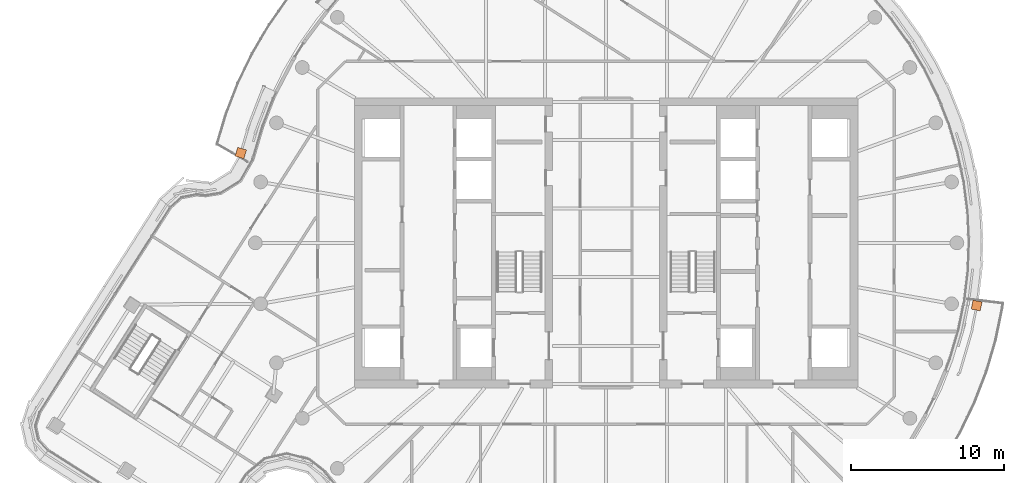
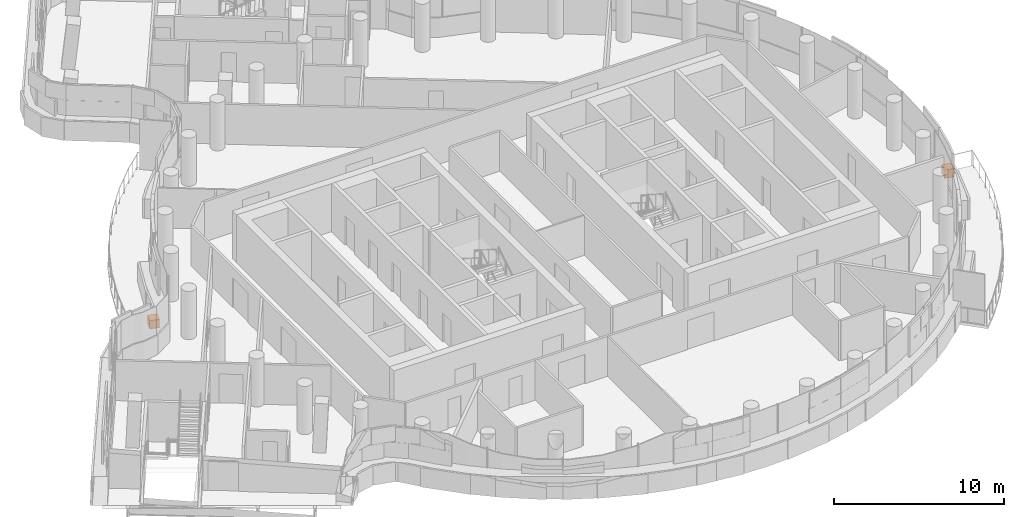
# One storey, part 27 of 27: 2 proxies.
"""IFC4 building model written with IfcOpenShell, lengths in metres."""

from ifc_helpers import new_model, si_unit, direction, frame, origin, origin_2d, place, context, subcontext, project, spatial, rectangle, extrude, material, type_object, element, save


model = new_model("IFC4")

# Units and contexts
model_context = context("Model", 3, precision=1e-05, world=origin(), true_north=direction((0.0, 1.0)))
body_context = subcontext(model_context, "Body", "Model", "MODEL_VIEW")
ifc_project = project(units=[si_unit("LENGTHUNIT", "METRE"), si_unit("AREAUNIT", "SQUARE_METRE"), si_unit("VOLUMEUNIT", "CUBIC_METRE"), si_unit("PLANEANGLEUNIT", "RADIAN"), si_unit("MASSUNIT", "GRAM", prefix="KILO")], contexts=[model_context])

# Site, building, storey
site_placement = place(None, origin())
site = spatial("IfcSite", under=ifc_project, at=site_placement, CompositionType="ELEMENT")
building_placement = place(site_placement, origin())
building = spatial("IfcBuilding", under=site, at=building_placement, Name="Tamarind Cross Interchange Tower", CompositionType="ELEMENT")
storey_placement = place(building_placement, frame((0.0, 0.0, 241.5)))
storey = spatial("IfcBuildingStorey", under=building, at=storey_placement, Name="L61", CompositionType="ELEMENT", Elevation=241.5)

# Proxies
ifc_material = material(Name="Concrete C30", Category="concrete")
building_element_proxy_type = type_object("IfcBuildingElementProxyType", Name="Planter", PredefinedType="USERDEFINED", material=ifc_material)
proxy_1_placement = place(storey_placement, origin())
element("IfcBuildingElementProxy", 1, at=proxy_1_placement, inside=storey, type_object=building_element_proxy_type, Name="PLT-L61-BAL02", ObjectType="Planter", PredefinedType="USERDEFINED", context=body_context, shape_type="SweptSolid", body=[
    extrude(rectangle(XDim=0.60009765625, YDim=0.60009765625, at=origin_2d()), frame((24.29345703125, -4.105712890625, 0.0), z_axis=(0.0, 0.0, 1.0), x_axis=(0.201001463943, 0.9795909409, 0.0)), (0.0, 0.0, 1.0), 0.60009765625),
])
proxy_2_placement = place(storey_placement, origin())
element("IfcBuildingElementProxy", 2, at=proxy_2_placement, inside=storey, type_object=building_element_proxy_type, Name="PLT-L61-BAL06", ObjectType="Planter", PredefinedType="USERDEFINED", context=body_context, shape_type="SweptSolid", body=[
    extrude(rectangle(XDim=0.60009765625, YDim=0.60009765625, at=origin_2d()), frame((-23.951171875, 5.8896484375, 0.0), z_axis=(0.0, 0.0, 1.0), x_axis=(-0.284974746504, -0.958535024845, 0.0)), (0.0, 0.0, 1.0), 0.60009765625),
])

save(model, "model.ifc")
